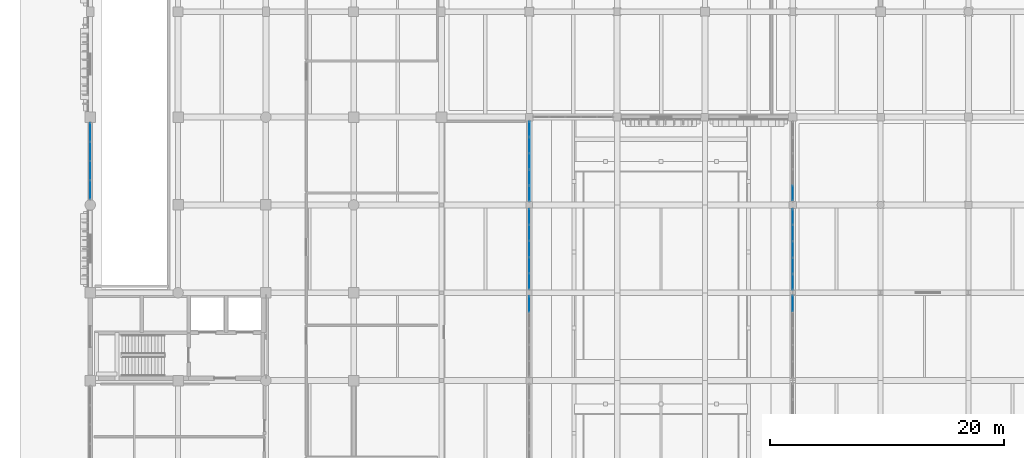
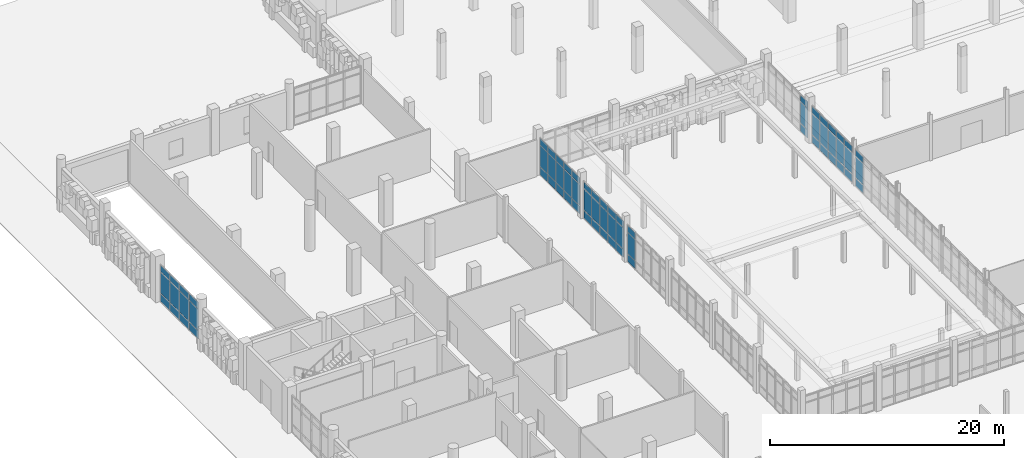
# One storey, part 77 of 125: 66 plates, 7 elements without a shape of their own.
"""IFC4 building model written with IfcOpenShell, lengths in metres."""

import ifcopenshell
import ifcopenshell.guid

model = None  # the IFC model being written
_history = None  # IfcOwnerHistory: only IFC2X3 demands one
_inside = {}  # id of a spatial element -> (the spatial element, [elements in it])
_under = {}  # id of a project, library or spatial element -> (it, [spatial elements below it])
_declared = {}  # id of a project -> (the project, [libraries it declares])
_typed = {}  # id of a type object -> (the type object, [elements of that type])
_made_of = {}  # id of a material, layer set ... -> (it, [elements and type objects made of it])


def new_model(schema):
    """Start an empty IFC model of exactly this schema.

    Asked for "IFC4X3", IfcOpenShell would pick the latest addendum, in which some entities
    have other attributes; the version numbers below select the first issue.
    IFC2X3 requires an IfcOwnerHistory on every rooted entity: one is made here for all.
    """
    global model, _history
    if schema == "IFC4X3":
        model = ifcopenshell.file(schema_version=(4, 3, 0, 0))
    else:
        model = ifcopenshell.file(schema=schema)
    _inside.clear()
    _under.clear()
    _declared.clear()
    _typed.clear()
    _made_of.clear()
    _history = None
    if model.schema == "IFC2X3":
        org = make("IfcOrganization", Name="unknown")
        user = make(
            "IfcPersonAndOrganization",
            ThePerson=make("IfcPerson", FamilyName="unknown"),
            TheOrganization=org,
        )
        app = make(
            "IfcApplication",
            ApplicationDeveloper=org,
            Version="unknown",
            ApplicationFullName="unknown",
            ApplicationIdentifier="unknown",
        )
        _history = make(
            "IfcOwnerHistory",
            OwningUser=user,
            OwningApplication=app,
            ChangeAction="ADDED",
            CreationDate=0,
        )
    return model


def make(cls, **values):
    """One entity of the class cls with the attributes given. An attribute that is None is left unset."""
    return model.create_entity(
        cls, **{name: value for name, value in values.items() if value is not None}
    )


def rooted(cls, **values):
    """An entity with a GlobalId (a new one), such as an element, a storey or a relation."""
    return make(cls, GlobalId=ifcopenshell.guid.new(), OwnerHistory=_history, **values)


def si_unit(unit_type, name, prefix=None):
    """IfcSIUnit, for example si_unit("LENGTHUNIT", "METRE", prefix="MILLI")."""
    return make("IfcSIUnit", UnitType=unit_type, Prefix=prefix, Name=name)


def assignment(units):
    """IfcUnitAssignment: the units of a project."""
    return None if units is None else make("IfcUnitAssignment", Units=units)


def point(xyz):
    """IfcCartesianPoint."""
    return None if xyz is None else make("IfcCartesianPoint", Coordinates=xyz)


def direction(xyz):
    """IfcDirection."""
    return None if xyz is None else make("IfcDirection", DirectionRatios=xyz)


def frame(location, z_axis=None, x_axis=None):
    """IfcAxis2Placement3D, a coordinate frame: its origin and axes. An axis left out is left unset."""
    return make(
        "IfcAxis2Placement3D",
        Location=point(location),
        Axis=direction(z_axis),
        RefDirection=direction(x_axis),
    )


def frame_2d(location, x_axis=None):
    """IfcAxis2Placement2D, a coordinate frame in the plane: its origin and x axis."""
    return make(
        "IfcAxis2Placement2D", Location=point(location), RefDirection=direction(x_axis)
    )


def origin():
    """The frame at (0, 0, 0) with its axes left unset."""
    return frame((0.0, 0.0, 0.0))


def origin_2d():
    """The frame at (0, 0) in the plane with its x axis left unset."""
    return frame_2d((0.0, 0.0))


def place(relative_to, where):
    """IfcLocalPlacement: puts the frame where relative to a parent placement (None: the world)."""
    return make(
        "IfcLocalPlacement", PlacementRelTo=relative_to, RelativePlacement=where
    )


def context(
    kind, dimensions, precision=None, world=None, true_north=None, identifier=None
):
    """IfcGeometricRepresentationContext, for example the 3D "Model" context."""
    return make(
        "IfcGeometricRepresentationContext",
        ContextIdentifier=identifier,
        ContextType=kind,
        CoordinateSpaceDimension=dimensions,
        Precision=precision,
        WorldCoordinateSystem=world,
        TrueNorth=true_north,
    )


def subcontext(parent, identifier, kind, view, scale=None):
    """IfcGeometricRepresentationSubContext, for example "Body" below "Model"."""
    return make(
        "IfcGeometricRepresentationSubContext",
        ContextIdentifier=identifier,
        ContextType=kind,
        ParentContext=parent,
        TargetScale=scale,
        TargetView=view,
    )


def project(units=None, contexts=None):
    """IfcProject with its units and contexts."""
    return rooted(
        "IfcProject",
        Name="project",
        RepresentationContexts=contexts,
        UnitsInContext=assignment(units),
    )


def spatial(cls, under=None, at=None, **own):
    """A site, building, storey or space (cls), placed at a placement, below another one or the project."""
    s = rooted(cls, ObjectPlacement=at, **own)
    if under is not None:
        _under.setdefault(under.id(), (under, []))[1].append(s)
    return s


def profile(cls, at=None, kind="AREA", **sizes):
    """A parametric profile (cls). Its sizes go by their IFC names, for example OverallWidth=200.0."""
    return make(cls, ProfileType=kind, Position=at, **sizes)


def rectangle(**sizes):
    """IfcRectangleProfileDef."""
    return profile("IfcRectangleProfileDef", **sizes)


def extrude(swept, where, along, depth):
    """IfcExtrudedAreaSolid: the profile swept, set in the frame where, extruded along a direction by depth."""
    return make(
        "IfcExtrudedAreaSolid",
        SweptArea=swept,
        Position=where,
        ExtrudedDirection=direction(along),
        Depth=depth,
    )


def shape(context_of_items, identifier, shape_type, items):
    """IfcShapeRepresentation: the items that make up one representation, for example the "Body"."""
    return make(
        "IfcShapeRepresentation",
        ContextOfItems=context_of_items,
        RepresentationIdentifier=identifier,
        RepresentationType=shape_type,
        Items=items,
    )


def material(Name=None, Category=None):
    """IfcMaterial."""
    return make("IfcMaterial", Name=Name, Category=Category)


def layer(
    of_material, thickness, ventilated=None, Name=None, Category=None, Priority=None
):
    """IfcMaterialLayer: one layer of a wall or slab, of a material (None: an air gap)."""
    return make(
        "IfcMaterialLayer",
        Material=of_material,
        LayerThickness=thickness,
        IsVentilated=ventilated,
        Name=Name,
        Category=Category,
        Priority=Priority,
    )


def layer_set(layers, Name=None):
    """IfcMaterialLayerSet."""
    return make("IfcMaterialLayerSet", MaterialLayers=layers, LayerSetName=Name)


def made_of(thing, what):
    """Note that an element or type object is made of a material, layer set ...; save() writes the relation."""
    if what is not None:
        _made_of.setdefault(what.id(), (what, []))[1].append(thing)
    return thing


def type_object(cls, material=None, **own):
    """A type object (cls), such as IfcWallType, which elements share."""
    return made_of(rooted(cls, **own), material)


def element(
    cls,
    number,
    at=None,
    inside=None,
    cuts=None,
    type_object=None,
    material=None,
    context=None,
    identifier="Body",
    shape_type=None,
    held_by="IfcProductDefinitionShape",
    body=None,
    shapes=None,
    **own,
):
    """One element of the class cls, such as IfcWall. Its Tag is "e" and its number.

    at: its placement. inside: the storey or other place that contains it. cuts: it is an
    opening in that element (IfcRelVoidsElement). A single representation is given by context,
    identifier, shape_type and body (its items); several are given by shapes. held_by: the class
    of the entity that holds the representations. save() writes the other relations.
    """
    e = rooted(cls, Tag="e%d" % number, ObjectPlacement=at, **own)
    if body is not None:
        shapes = [shape(context, identifier, shape_type, body)]
    if shapes is not None:
        e.Representation = make(held_by, Representations=shapes)
    if inside is not None:
        _inside.setdefault(inside.id(), (inside, []))[1].append(e)
    if cuts is not None:
        rooted(
            "IfcRelVoidsElement", RelatingBuildingElement=cuts, RelatedOpeningElement=e
        )
    if type_object is not None:
        _typed.setdefault(type_object.id(), (type_object, []))[1].append(e)
    return made_of(e, material)


def aggregate(whole, parts):
    """IfcRelAggregates: a whole, such as a stair, and the parts it consists of."""
    return rooted("IfcRelAggregates", RelatingObject=whole, RelatedObjects=parts)


def save(model, path):
    """Write the relations noted so far, then the file.

    IfcRelAggregates (storeys below a building ...), IfcRelContainedInSpatialStructure (elements
    in a storey), IfcRelDefinesByType, IfcRelAssociatesMaterial and IfcRelDeclares: one each for
    every whole, place, type object, material and project.
    """
    for whole, parts in _under.values():
        aggregate(whole, parts)
    for where, things in _inside.values():
        rooted(
            "IfcRelContainedInSpatialStructure",
            RelatedElements=things,
            RelatingStructure=where,
        )
    for kind, things in _typed.values():
        rooted("IfcRelDefinesByType", RelatedObjects=things, RelatingType=kind)
    for what, things in _made_of.values():
        rooted("IfcRelAssociatesMaterial", RelatedObjects=things, RelatingMaterial=what)
    for by, libraries in _declared.values():
        rooted("IfcRelDeclares", RelatingContext=by, RelatedDefinitions=libraries)
    model.write(path)


model = new_model("IFC4")

# Units and contexts
model_context = context("Model", 3, precision=1e-05, world=origin(), true_north=direction((0.0, 1.0)))
body_context = subcontext(model_context, "Body", "Model", "MODEL_VIEW")
ifc_project = project(units=[si_unit("LENGTHUNIT", "METRE"), si_unit("AREAUNIT", "SQUARE_METRE"), si_unit("VOLUMEUNIT", "CUBIC_METRE"), si_unit("PLANEANGLEUNIT", "RADIAN"), si_unit("MASSUNIT", "GRAM", prefix="KILO")], contexts=[model_context])

# Site, building, storey
site_placement = place(None, origin())
site = spatial("IfcSite", under=ifc_project, at=site_placement, CompositionType="ELEMENT")
building_placement = place(site_placement, origin())
building = spatial("IfcBuilding", under=site, at=building_placement, Name="Dalvernix Boulevard General Hospital", CompositionType="ELEMENT")
storey_placement = place(building_placement, origin())
storey = spatial("IfcBuildingStorey", under=building, at=storey_placement, Name="L00", CompositionType="ELEMENT", Elevation=0.0)

# Curtain wall, plates
ifc_material_1 = material(Name="Thermally broken aluminium and solar-control glass curtain wall", Category="aluminium")
ifc_layer_1 = layer(ifc_material_1, 0.159912109375)
ifc_layer_set_1 = layer_set([ifc_layer_1], Name="Thermally broken aluminium and solar-control glass curtain wall (CW-CW-A-66x39)")
curtain_wall_type_1 = type_object("IfcCurtainWallType", Name="CW-CW-A-66x39", PredefinedType="USERDEFINED", material=ifc_layer_set_1)
curtain_wall_1_placement = place(storey_placement, origin())
curtain_wall_1 = element("IfcCurtainWall", 1, at=curtain_wall_1_placement, inside=storey, type_object=curtain_wall_type_1, Name="L00 curtain wall CW-A-66x39 0-9", ObjectType="GLAZED FACADE", PredefinedType="USERDEFINED")
ifc_material_2 = material(Name="Double-glazed solar-control low-emissivity glass", Category="glass")
ifc_layer_2 = layer(ifc_material_2, 0.02392578125)
ifc_layer_set_2 = layer_set([ifc_layer_2], Name="Double-glazed solar-control low-emissivity glass (PLT-CW-P1)")
plate_type_1 = type_object("IfcPlateType", Name="PLT-CW-P1", PredefinedType="CURTAIN_PANEL", material=ifc_layer_set_2)
plate_1_placement = place(storey_placement, frame((0.0, 70.297607421875, 0.06005859375), z_axis=(0.0, 0.0, 1.0), x_axis=(0.0, 1.0, 0.0)))
plate_1 = element("IfcPlate", 2, at=plate_1_placement, type_object=plate_type_1, Name="CW-A-66x39 panel 1.1", PredefinedType="CURTAIN_PANEL", context=body_context, shape_type="SweptSolid", body=[
    extrude(rectangle(XDim=1.554931640625, YDim=0.02392578125, at=origin_2d()), origin(), (0.0, 0.0, 1.0), 0.81005859375),
])
plate_2_placement = place(storey_placement, frame((0.0, 70.297607421875, 0.929931640625), z_axis=(0.0, 0.0, 1.0), x_axis=(0.0, 1.0, 0.0)))
plate_2 = element("IfcPlate", 3, at=plate_2_placement, type_object=plate_type_1, Name="CW-A-66x39 panel 1.2", PredefinedType="CURTAIN_PANEL", context=body_context, shape_type="SweptSolid", body=[
    extrude(rectangle(XDim=1.554931640625, YDim=0.02392578125, at=origin_2d()), origin(), (0.0, 0.0, 1.0), 2.18994140625),
])
plate_3_placement = place(storey_placement, frame((0.0, 70.297607421875, 3.18017578125), z_axis=(0.0, 0.0, 1.0), x_axis=(0.0, 1.0, 0.0)))
plate_3 = element("IfcPlate", 4, at=plate_3_placement, type_object=plate_type_1, Name="CW-A-66x39 panel 1.3", PredefinedType="CURTAIN_PANEL", context=body_context, shape_type="SweptSolid", body=[
    extrude(rectangle(XDim=1.554931640625, YDim=0.02392578125, at=origin_2d()), origin(), (0.0, 0.0, 1.0), 0.659912109375),
])
plate_4_placement = place(storey_placement, frame((0.0, 71.927490234375, 0.06005859375), z_axis=(0.0, 0.0, 1.0), x_axis=(0.0, 1.0, 0.0)))
plate_4 = element("IfcPlate", 5, at=plate_4_placement, type_object=plate_type_1, Name="CW-A-66x39 panel 2.1", PredefinedType="CURTAIN_PANEL", context=body_context, shape_type="SweptSolid", body=[
    extrude(rectangle(XDim=1.5849609375, YDim=0.02392578125, at=origin_2d()), origin(), (0.0, 0.0, 1.0), 0.81005859375),
])
plate_5_placement = place(storey_placement, frame((0.0, 71.927490234375, 0.929931640625), z_axis=(0.0, 0.0, 1.0), x_axis=(0.0, 1.0, 0.0)))
plate_5 = element("IfcPlate", 6, at=plate_5_placement, type_object=plate_type_1, Name="CW-A-66x39 panel 2.2", PredefinedType="CURTAIN_PANEL", context=body_context, shape_type="SweptSolid", body=[
    extrude(rectangle(XDim=1.5849609375, YDim=0.02392578125, at=origin_2d()), origin(), (0.0, 0.0, 1.0), 2.18994140625),
])
plate_6_placement = place(storey_placement, frame((0.0, 71.927490234375, 3.18017578125), z_axis=(0.0, 0.0, 1.0), x_axis=(0.0, 1.0, 0.0)))
plate_6 = element("IfcPlate", 7, at=plate_6_placement, type_object=plate_type_1, Name="CW-A-66x39 panel 2.3", PredefinedType="CURTAIN_PANEL", context=body_context, shape_type="SweptSolid", body=[
    extrude(rectangle(XDim=1.5849609375, YDim=0.02392578125, at=origin_2d()), origin(), (0.0, 0.0, 1.0), 0.659912109375),
])
plate_7_placement = place(storey_placement, frame((0.0, 73.572509765625, 0.06005859375), z_axis=(0.0, 0.0, 1.0), x_axis=(0.0, 1.0, 0.0)))
plate_7 = element("IfcPlate", 8, at=plate_7_placement, type_object=plate_type_1, Name="CW-A-66x39 panel 3.1", PredefinedType="CURTAIN_PANEL", context=body_context, shape_type="SweptSolid", body=[
    extrude(rectangle(XDim=1.5849609375, YDim=0.02392578125, at=origin_2d()), origin(), (0.0, 0.0, 1.0), 0.81005859375),
])
plate_8_placement = place(storey_placement, frame((0.0, 73.572509765625, 0.929931640625), z_axis=(0.0, 0.0, 1.0), x_axis=(0.0, 1.0, 0.0)))
plate_8 = element("IfcPlate", 9, at=plate_8_placement, type_object=plate_type_1, Name="CW-A-66x39 panel 3.2", PredefinedType="CURTAIN_PANEL", context=body_context, shape_type="SweptSolid", body=[
    extrude(rectangle(XDim=1.5849609375, YDim=0.02392578125, at=origin_2d()), origin(), (0.0, 0.0, 1.0), 2.18994140625),
])
plate_9_placement = place(storey_placement, frame((0.0, 73.572509765625, 3.18017578125), z_axis=(0.0, 0.0, 1.0), x_axis=(0.0, 1.0, 0.0)))
plate_9 = element("IfcPlate", 10, at=plate_9_placement, type_object=plate_type_1, Name="CW-A-66x39 panel 3.3", PredefinedType="CURTAIN_PANEL", context=body_context, shape_type="SweptSolid", body=[
    extrude(rectangle(XDim=1.5849609375, YDim=0.02392578125, at=origin_2d()), origin(), (0.0, 0.0, 1.0), 0.659912109375),
])
plate_10_placement = place(storey_placement, frame((0.0, 75.202392578125, 0.06005859375), z_axis=(0.0, 0.0, 1.0), x_axis=(0.0, 1.0, 0.0)))
plate_10 = element("IfcPlate", 11, at=plate_10_placement, type_object=plate_type_1, Name="CW-A-66x39 panel 4.1", PredefinedType="CURTAIN_PANEL", context=body_context, shape_type="SweptSolid", body=[
    extrude(rectangle(XDim=1.554931640625, YDim=0.02392578125, at=origin_2d()), origin(), (0.0, 0.0, 1.0), 0.81005859375),
])
plate_11_placement = place(storey_placement, frame((0.0, 75.202392578125, 0.929931640625), z_axis=(0.0, 0.0, 1.0), x_axis=(0.0, 1.0, 0.0)))
plate_11 = element("IfcPlate", 12, at=plate_11_placement, type_object=plate_type_1, Name="CW-A-66x39 panel 4.2", PredefinedType="CURTAIN_PANEL", context=body_context, shape_type="SweptSolid", body=[
    extrude(rectangle(XDim=1.554931640625, YDim=0.02392578125, at=origin_2d()), origin(), (0.0, 0.0, 1.0), 2.18994140625),
])
plate_12_placement = place(storey_placement, frame((0.0, 75.202392578125, 3.18017578125), z_axis=(0.0, 0.0, 1.0), x_axis=(0.0, 1.0, 0.0)))
plate_12 = element("IfcPlate", 13, at=plate_12_placement, type_object=plate_type_1, Name="CW-A-66x39 panel 4.3", PredefinedType="CURTAIN_PANEL", context=body_context, shape_type="SweptSolid", body=[
    extrude(rectangle(XDim=1.554931640625, YDim=0.02392578125, at=origin_2d()), origin(), (0.0, 0.0, 1.0), 0.659912109375),
])
aggregate(curtain_wall_1, [plate_1, plate_2, plate_3, plate_4, plate_5, plate_6, plate_7, plate_8, plate_9, plate_10, plate_11, plate_12])

ifc_layer_3 = layer(ifc_material_1, 0.159912109375)
ifc_layer_set_3 = layer_set([ifc_layer_3], Name="Thermally broken aluminium and solar-control glass curtain wall (CW-CW-A-70x39)")
curtain_wall_type_2 = type_object("IfcCurtainWallType", Name="CW-CW-A-70x39", PredefinedType="USERDEFINED", material=ifc_layer_set_3)
curtain_wall_2_placement = place(storey_placement, origin())
curtain_wall_2 = element("IfcCurtainWall", 14, at=curtain_wall_2_placement, inside=storey, type_object=curtain_wall_type_2, Name="L00 curtain wall CW-A-70x39 5-7", ObjectType="GLAZED FACADE", PredefinedType="USERDEFINED")
plate_13_placement = place(storey_placement, frame((37.5, 60.529541015625, 0.06005859375), z_axis=(0.0, 0.0, 1.0), x_axis=(0.0, -1.0, 0.0)))
plate_13 = element("IfcPlate", 15, at=plate_13_placement, type_object=plate_type_1, Name="CW-A-70x39 panel 1.1", PredefinedType="CURTAIN_PANEL", context=body_context, shape_type="SweptSolid", body=[
    extrude(rectangle(XDim=1.301025390625, YDim=0.02392578125, at=origin_2d()), origin(), (0.0, 0.0, 1.0), 0.81005859375),
])
plate_14_placement = place(storey_placement, frame((37.5, 60.529541015625, 0.929931640625), z_axis=(0.0, 0.0, 1.0), x_axis=(0.0, -1.0, 0.0)))
plate_14 = element("IfcPlate", 16, at=plate_14_placement, type_object=plate_type_1, Name="CW-A-70x39 panel 1.2", PredefinedType="CURTAIN_PANEL", context=body_context, shape_type="SweptSolid", body=[
    extrude(rectangle(XDim=1.301025390625, YDim=0.02392578125, at=origin_2d()), origin(), (0.0, 0.0, 1.0), 2.18994140625),
])
plate_15_placement = place(storey_placement, frame((37.5, 60.529541015625, 3.18017578125), z_axis=(0.0, 0.0, 1.0), x_axis=(0.0, -1.0, 0.0)))
plate_15 = element("IfcPlate", 17, at=plate_15_placement, type_object=plate_type_1, Name="CW-A-70x39 panel 1.3", PredefinedType="CURTAIN_PANEL", context=body_context, shape_type="SweptSolid", body=[
    extrude(rectangle(XDim=1.301025390625, YDim=0.02392578125, at=origin_2d()), origin(), (0.0, 0.0, 1.0), 0.659912109375),
])
aggregate(curtain_wall_2, [plate_13, plate_14, plate_15])

ifc_layer_4 = layer(ifc_material_1, 0.159912109375)
ifc_layer_set_4 = layer_set([ifc_layer_4], Name="Thermally broken aluminium and solar-control glass curtain wall (CW-CW-A-71x39)")
curtain_wall_type_3 = type_object("IfcCurtainWallType", Name="CW-CW-A-71x39", PredefinedType="USERDEFINED", material=ifc_layer_set_4)
curtain_wall_3_placement = place(storey_placement, origin())
curtain_wall_3 = element("IfcCurtainWall", 18, at=curtain_wall_3_placement, inside=storey, type_object=curtain_wall_type_3, Name="L00 curtain wall CW-A-71x39 8-7", ObjectType="GLAZED FACADE", PredefinedType="USERDEFINED")
plate_16_placement = place(storey_placement, frame((60.0, 60.56689453125, 0.06005859375), z_axis=(0.0, 0.0, 1.0), x_axis=(0.0, 1.0, 0.0)))
plate_16 = element("IfcPlate", 19, at=plate_16_placement, type_object=plate_type_1, Name="CW-A-71x39 panel 5.1", PredefinedType="CURTAIN_PANEL", context=body_context, shape_type="SweptSolid", body=[
    extrude(rectangle(XDim=1.325927734375, YDim=0.02392578125, at=origin_2d()), origin(), (0.0, 0.0, 1.0), 0.81005859375),
])
plate_17_placement = place(storey_placement, frame((60.0, 60.56689453125, 0.929931640625), z_axis=(0.0, 0.0, 1.0), x_axis=(0.0, 1.0, 0.0)))
plate_17 = element("IfcPlate", 20, at=plate_17_placement, type_object=plate_type_1, Name="CW-A-71x39 panel 5.2", PredefinedType="CURTAIN_PANEL", context=body_context, shape_type="SweptSolid", body=[
    extrude(rectangle(XDim=1.325927734375, YDim=0.02392578125, at=origin_2d()), origin(), (0.0, 0.0, 1.0), 2.18994140625),
])
plate_18_placement = place(storey_placement, frame((60.0, 60.56689453125, 3.18017578125), z_axis=(0.0, 0.0, 1.0), x_axis=(0.0, 1.0, 0.0)))
plate_18 = element("IfcPlate", 21, at=plate_18_placement, type_object=plate_type_1, Name="CW-A-71x39 panel 5.3", PredefinedType="CURTAIN_PANEL", context=body_context, shape_type="SweptSolid", body=[
    extrude(rectangle(XDim=1.325927734375, YDim=0.02392578125, at=origin_2d()), origin(), (0.0, 0.0, 1.0), 0.659912109375),
])
aggregate(curtain_wall_3, [plate_16, plate_17, plate_18])

ifc_layer_5 = layer(ifc_material_1, 0.179931640625)
ifc_layer_set_5 = layer_set([ifc_layer_5], Name="Thermally broken aluminium and solar-control glass curtain wall (CW-CW-B-70x39)")
curtain_wall_type_4 = type_object("IfcCurtainWallType", Name="CW-CW-B-70x39", PredefinedType="USERDEFINED", material=ifc_layer_set_5)
curtain_wall_4_placement = place(storey_placement, origin())
curtain_wall_4 = element("IfcCurtainWall", 22, at=curtain_wall_4_placement, inside=storey, type_object=curtain_wall_type_4, Name="L00 curtain wall CW-B-70x39 5-8", ObjectType="GLAZED FACADE", PredefinedType="USERDEFINED")
ifc_layer_6 = layer(ifc_material_2, 0.028076171875)
ifc_layer_set_6 = layer_set([ifc_layer_6], Name="Double-glazed solar-control low-emissivity glass (PLT-CW-P2)")
plate_type_2 = type_object("IfcPlateType", Name="PLT-CW-P2", PredefinedType="CURTAIN_PANEL", material=ifc_layer_set_6)
plate_19_placement = place(storey_placement, frame((37.5, 68.003173828125, 0.06494140625), z_axis=(0.0, 0.0, 1.0), x_axis=(0.0, -1.0, 0.0)))
plate_19 = element("IfcPlate", 23, at=plate_19_placement, type_object=plate_type_2, Name="CW-B-70x39 panel 1.1", PredefinedType="CURTAIN_PANEL", context=body_context, shape_type="SweptSolid", body=[
    extrude(rectangle(XDim=1.29345703125, YDim=0.028076171875, at=origin_2d()), origin(), (0.0, 0.0, 1.0), 0.802490234375),
])
plate_20_placement = place(storey_placement, frame((37.5, 68.003173828125, 0.932373046875), z_axis=(0.0, 0.0, 1.0), x_axis=(0.0, -1.0, 0.0)))
plate_20 = element("IfcPlate", 24, at=plate_20_placement, type_object=plate_type_2, Name="CW-B-70x39 panel 1.2", PredefinedType="CURTAIN_PANEL", context=body_context, shape_type="SweptSolid", body=[
    extrude(rectangle(XDim=1.29345703125, YDim=0.028076171875, at=origin_2d()), origin(), (0.0, 0.0, 1.0), 2.18505859375),
])
plate_21_placement = place(storey_placement, frame((37.5, 68.003173828125, 3.1826171875), z_axis=(0.0, 0.0, 1.0), x_axis=(0.0, -1.0, 0.0)))
plate_21 = element("IfcPlate", 25, at=plate_21_placement, type_object=plate_type_2, Name="CW-B-70x39 panel 1.3", PredefinedType="CURTAIN_PANEL", context=body_context, shape_type="SweptSolid", body=[
    extrude(rectangle(XDim=1.29345703125, YDim=0.028076171875, at=origin_2d()), origin(), (0.0, 0.0, 1.0), 0.652587890625),
])
plate_22_placement = place(storey_placement, frame((37.5, 66.62841796875, 0.06494140625), z_axis=(0.0, 0.0, 1.0), x_axis=(0.0, -1.0, 0.0)))
plate_22 = element("IfcPlate", 26, at=plate_22_placement, type_object=plate_type_2, Name="CW-B-70x39 panel 2.1", PredefinedType="CURTAIN_PANEL", context=body_context, shape_type="SweptSolid", body=[
    extrude(rectangle(XDim=1.325927734375, YDim=0.028076171875, at=origin_2d()), origin(), (0.0, 0.0, 1.0), 0.802490234375),
])
plate_23_placement = place(storey_placement, frame((37.5, 66.62841796875, 0.932373046875), z_axis=(0.0, 0.0, 1.0), x_axis=(0.0, -1.0, 0.0)))
plate_23 = element("IfcPlate", 27, at=plate_23_placement, type_object=plate_type_2, Name="CW-B-70x39 panel 2.2", PredefinedType="CURTAIN_PANEL", context=body_context, shape_type="SweptSolid", body=[
    extrude(rectangle(XDim=1.325927734375, YDim=0.028076171875, at=origin_2d()), origin(), (0.0, 0.0, 1.0), 2.18505859375),
])
plate_24_placement = place(storey_placement, frame((37.5, 66.62841796875, 3.1826171875), z_axis=(0.0, 0.0, 1.0), x_axis=(0.0, -1.0, 0.0)))
plate_24 = element("IfcPlate", 28, at=plate_24_placement, type_object=plate_type_2, Name="CW-B-70x39 panel 2.3", PredefinedType="CURTAIN_PANEL", context=body_context, shape_type="SweptSolid", body=[
    extrude(rectangle(XDim=1.325927734375, YDim=0.028076171875, at=origin_2d()), origin(), (0.0, 0.0, 1.0), 0.652587890625),
])
plate_25_placement = place(storey_placement, frame((37.5, 65.237548828125, 0.06494140625), z_axis=(0.0, 0.0, 1.0), x_axis=(0.0, -1.0, 0.0)))
plate_25 = element("IfcPlate", 29, at=plate_25_placement, type_object=plate_type_2, Name="CW-B-70x39 panel 3.1", PredefinedType="CURTAIN_PANEL", context=body_context, shape_type="SweptSolid", body=[
    extrude(rectangle(XDim=1.325927734375, YDim=0.028076171875, at=origin_2d()), origin(), (0.0, 0.0, 1.0), 0.802490234375),
])
plate_26_placement = place(storey_placement, frame((37.5, 65.237548828125, 0.932373046875), z_axis=(0.0, 0.0, 1.0), x_axis=(0.0, -1.0, 0.0)))
plate_26 = element("IfcPlate", 30, at=plate_26_placement, type_object=plate_type_2, Name="CW-B-70x39 panel 3.2", PredefinedType="CURTAIN_PANEL", context=body_context, shape_type="SweptSolid", body=[
    extrude(rectangle(XDim=1.325927734375, YDim=0.028076171875, at=origin_2d()), origin(), (0.0, 0.0, 1.0), 2.18505859375),
])
plate_27_placement = place(storey_placement, frame((37.5, 65.237548828125, 3.1826171875), z_axis=(0.0, 0.0, 1.0), x_axis=(0.0, -1.0, 0.0)))
plate_27 = element("IfcPlate", 31, at=plate_27_placement, type_object=plate_type_2, Name="CW-B-70x39 panel 3.3", PredefinedType="CURTAIN_PANEL", context=body_context, shape_type="SweptSolid", body=[
    extrude(rectangle(XDim=1.325927734375, YDim=0.028076171875, at=origin_2d()), origin(), (0.0, 0.0, 1.0), 0.652587890625),
])
plate_28_placement = place(storey_placement, frame((37.5, 63.846435546875, 0.06494140625), z_axis=(0.0, 0.0, 1.0), x_axis=(0.0, -1.0, 0.0)))
plate_28 = element("IfcPlate", 32, at=plate_28_placement, type_object=plate_type_2, Name="CW-B-70x39 panel 4.1", PredefinedType="CURTAIN_PANEL", context=body_context, shape_type="SweptSolid", body=[
    extrude(rectangle(XDim=1.325927734375, YDim=0.028076171875, at=origin_2d()), origin(), (0.0, 0.0, 1.0), 0.802490234375),
])
plate_29_placement = place(storey_placement, frame((37.5, 63.846435546875, 0.932373046875), z_axis=(0.0, 0.0, 1.0), x_axis=(0.0, -1.0, 0.0)))
plate_29 = element("IfcPlate", 33, at=plate_29_placement, type_object=plate_type_2, Name="CW-B-70x39 panel 4.2", PredefinedType="CURTAIN_PANEL", context=body_context, shape_type="SweptSolid", body=[
    extrude(rectangle(XDim=1.325927734375, YDim=0.028076171875, at=origin_2d()), origin(), (0.0, 0.0, 1.0), 2.18505859375),
])
plate_30_placement = place(storey_placement, frame((37.5, 63.846435546875, 3.1826171875), z_axis=(0.0, 0.0, 1.0), x_axis=(0.0, -1.0, 0.0)))
plate_30 = element("IfcPlate", 34, at=plate_30_placement, type_object=plate_type_2, Name="CW-B-70x39 panel 4.3", PredefinedType="CURTAIN_PANEL", context=body_context, shape_type="SweptSolid", body=[
    extrude(rectangle(XDim=1.325927734375, YDim=0.028076171875, at=origin_2d()), origin(), (0.0, 0.0, 1.0), 0.652587890625),
])
plate_31_placement = place(storey_placement, frame((37.5, 62.4716796875, 0.06494140625), z_axis=(0.0, 0.0, 1.0), x_axis=(0.0, -1.0, 0.0)))
plate_31 = element("IfcPlate", 35, at=plate_31_placement, type_object=plate_type_2, Name="CW-B-70x39 panel 5.1", PredefinedType="CURTAIN_PANEL", context=body_context, shape_type="SweptSolid", body=[
    extrude(rectangle(XDim=1.29345703125, YDim=0.028076171875, at=origin_2d()), origin(), (0.0, 0.0, 1.0), 0.802490234375),
])
plate_32_placement = place(storey_placement, frame((37.5, 62.4716796875, 0.932373046875), z_axis=(0.0, 0.0, 1.0), x_axis=(0.0, -1.0, 0.0)))
plate_32 = element("IfcPlate", 36, at=plate_32_placement, type_object=plate_type_2, Name="CW-B-70x39 panel 5.2", PredefinedType="CURTAIN_PANEL", context=body_context, shape_type="SweptSolid", body=[
    extrude(rectangle(XDim=1.29345703125, YDim=0.028076171875, at=origin_2d()), origin(), (0.0, 0.0, 1.0), 2.18505859375),
])
plate_33_placement = place(storey_placement, frame((37.5, 62.4716796875, 3.1826171875), z_axis=(0.0, 0.0, 1.0), x_axis=(0.0, -1.0, 0.0)))
plate_33 = element("IfcPlate", 37, at=plate_33_placement, type_object=plate_type_2, Name="CW-B-70x39 panel 5.3", PredefinedType="CURTAIN_PANEL", context=body_context, shape_type="SweptSolid", body=[
    extrude(rectangle(XDim=1.29345703125, YDim=0.028076171875, at=origin_2d()), origin(), (0.0, 0.0, 1.0), 0.652587890625),
])
aggregate(curtain_wall_4, [plate_19, plate_20, plate_21, plate_22, plate_23, plate_24, plate_25, plate_26, plate_27, plate_28, plate_29, plate_30, plate_31, plate_32, plate_33])

curtain_wall_5_placement = place(storey_placement, origin())
curtain_wall_5 = element("IfcCurtainWall", 38, at=curtain_wall_5_placement, inside=storey, type_object=curtain_wall_type_4, Name="L00 curtain wall CW-B-70x39 8-8", ObjectType="GLAZED FACADE", PredefinedType="USERDEFINED")
plate_34_placement = place(storey_placement, frame((60.0, 62.42431640625, 0.06494140625), z_axis=(0.0, 0.0, 1.0), x_axis=(0.0, 1.0, 0.0)))
plate_34 = element("IfcPlate", 39, at=plate_34_placement, type_object=plate_type_2, Name="CW-B-70x39 panel 1.1", PredefinedType="CURTAIN_PANEL", context=body_context, shape_type="SweptSolid", body=[
    extrude(rectangle(XDim=1.298583984375, YDim=0.028076171875, at=origin_2d()), origin(), (0.0, 0.0, 1.0), 0.802490234375),
])
plate_35_placement = place(storey_placement, frame((60.0, 62.42431640625, 0.932373046875), z_axis=(0.0, 0.0, 1.0), x_axis=(0.0, 1.0, 0.0)))
plate_35 = element("IfcPlate", 40, at=plate_35_placement, type_object=plate_type_2, Name="CW-B-70x39 panel 1.2", PredefinedType="CURTAIN_PANEL", context=body_context, shape_type="SweptSolid", body=[
    extrude(rectangle(XDim=1.298583984375, YDim=0.028076171875, at=origin_2d()), origin(), (0.0, 0.0, 1.0), 2.18505859375),
])
plate_36_placement = place(storey_placement, frame((60.0, 62.42431640625, 3.1826171875), z_axis=(0.0, 0.0, 1.0), x_axis=(0.0, 1.0, 0.0)))
plate_36 = element("IfcPlate", 41, at=plate_36_placement, type_object=plate_type_2, Name="CW-B-70x39 panel 1.3", PredefinedType="CURTAIN_PANEL", context=body_context, shape_type="SweptSolid", body=[
    extrude(rectangle(XDim=1.298583984375, YDim=0.028076171875, at=origin_2d()), origin(), (0.0, 0.0, 1.0), 0.652587890625),
])
plate_37_placement = place(storey_placement, frame((60.0, 63.803955078125, 0.06494140625), z_axis=(0.0, 0.0, 1.0), x_axis=(0.0, 1.0, 0.0)))
plate_37 = element("IfcPlate", 42, at=plate_37_placement, type_object=plate_type_2, Name="CW-B-70x39 panel 2.1", PredefinedType="CURTAIN_PANEL", context=body_context, shape_type="SweptSolid", body=[
    extrude(rectangle(XDim=1.3310546875, YDim=0.028076171875, at=origin_2d()), origin(), (0.0, 0.0, 1.0), 0.802490234375),
])
plate_38_placement = place(storey_placement, frame((60.0, 63.803955078125, 0.932373046875), z_axis=(0.0, 0.0, 1.0), x_axis=(0.0, 1.0, 0.0)))
plate_38 = element("IfcPlate", 43, at=plate_38_placement, type_object=plate_type_2, Name="CW-B-70x39 panel 2.2", PredefinedType="CURTAIN_PANEL", context=body_context, shape_type="SweptSolid", body=[
    extrude(rectangle(XDim=1.3310546875, YDim=0.028076171875, at=origin_2d()), origin(), (0.0, 0.0, 1.0), 2.18505859375),
])
plate_39_placement = place(storey_placement, frame((60.0, 63.803955078125, 3.1826171875), z_axis=(0.0, 0.0, 1.0), x_axis=(0.0, 1.0, 0.0)))
plate_39 = element("IfcPlate", 44, at=plate_39_placement, type_object=plate_type_2, Name="CW-B-70x39 panel 2.3", PredefinedType="CURTAIN_PANEL", context=body_context, shape_type="SweptSolid", body=[
    extrude(rectangle(XDim=1.3310546875, YDim=0.028076171875, at=origin_2d()), origin(), (0.0, 0.0, 1.0), 0.652587890625),
])
plate_40_placement = place(storey_placement, frame((60.0, 65.199951171875, 0.06494140625), z_axis=(0.0, 0.0, 1.0), x_axis=(0.0, 1.0, 0.0)))
plate_40 = element("IfcPlate", 45, at=plate_40_placement, type_object=plate_type_2, Name="CW-B-70x39 panel 3.1", PredefinedType="CURTAIN_PANEL", context=body_context, shape_type="SweptSolid", body=[
    extrude(rectangle(XDim=1.3310546875, YDim=0.028076171875, at=origin_2d()), origin(), (0.0, 0.0, 1.0), 0.802490234375),
])
plate_41_placement = place(storey_placement, frame((60.0, 65.199951171875, 0.932373046875), z_axis=(0.0, 0.0, 1.0), x_axis=(0.0, 1.0, 0.0)))
plate_41 = element("IfcPlate", 46, at=plate_41_placement, type_object=plate_type_2, Name="CW-B-70x39 panel 3.2", PredefinedType="CURTAIN_PANEL", context=body_context, shape_type="SweptSolid", body=[
    extrude(rectangle(XDim=1.3310546875, YDim=0.028076171875, at=origin_2d()), origin(), (0.0, 0.0, 1.0), 2.18505859375),
])
plate_42_placement = place(storey_placement, frame((60.0, 65.199951171875, 3.1826171875), z_axis=(0.0, 0.0, 1.0), x_axis=(0.0, 1.0, 0.0)))
plate_42 = element("IfcPlate", 47, at=plate_42_placement, type_object=plate_type_2, Name="CW-B-70x39 panel 3.3", PredefinedType="CURTAIN_PANEL", context=body_context, shape_type="SweptSolid", body=[
    extrude(rectangle(XDim=1.3310546875, YDim=0.028076171875, at=origin_2d()), origin(), (0.0, 0.0, 1.0), 0.652587890625),
])
plate_43_placement = place(storey_placement, frame((60.0, 66.595947265625, 0.06494140625), z_axis=(0.0, 0.0, 1.0), x_axis=(0.0, 1.0, 0.0)))
plate_43 = element("IfcPlate", 48, at=plate_43_placement, type_object=plate_type_2, Name="CW-B-70x39 panel 4.1", PredefinedType="CURTAIN_PANEL", context=body_context, shape_type="SweptSolid", body=[
    extrude(rectangle(XDim=1.3310546875, YDim=0.028076171875, at=origin_2d()), origin(), (0.0, 0.0, 1.0), 0.802490234375),
])
plate_44_placement = place(storey_placement, frame((60.0, 66.595947265625, 0.932373046875), z_axis=(0.0, 0.0, 1.0), x_axis=(0.0, 1.0, 0.0)))
plate_44 = element("IfcPlate", 49, at=plate_44_placement, type_object=plate_type_2, Name="CW-B-70x39 panel 4.2", PredefinedType="CURTAIN_PANEL", context=body_context, shape_type="SweptSolid", body=[
    extrude(rectangle(XDim=1.3310546875, YDim=0.028076171875, at=origin_2d()), origin(), (0.0, 0.0, 1.0), 2.18505859375),
])
plate_45_placement = place(storey_placement, frame((60.0, 66.595947265625, 3.1826171875), z_axis=(0.0, 0.0, 1.0), x_axis=(0.0, 1.0, 0.0)))
plate_45 = element("IfcPlate", 50, at=plate_45_placement, type_object=plate_type_2, Name="CW-B-70x39 panel 4.3", PredefinedType="CURTAIN_PANEL", context=body_context, shape_type="SweptSolid", body=[
    extrude(rectangle(XDim=1.3310546875, YDim=0.028076171875, at=origin_2d()), origin(), (0.0, 0.0, 1.0), 0.652587890625),
])
plate_46_placement = place(storey_placement, frame((60.0, 67.975830078125, 0.06494140625), z_axis=(0.0, 0.0, 1.0), x_axis=(0.0, 1.0, 0.0)))
plate_46 = element("IfcPlate", 51, at=plate_46_placement, type_object=plate_type_2, Name="CW-B-70x39 panel 5.1", PredefinedType="CURTAIN_PANEL", context=body_context, shape_type="SweptSolid", body=[
    extrude(rectangle(XDim=1.298583984375, YDim=0.028076171875, at=origin_2d()), origin(), (0.0, 0.0, 1.0), 0.802490234375),
])
plate_47_placement = place(storey_placement, frame((60.0, 67.975830078125, 0.932373046875), z_axis=(0.0, 0.0, 1.0), x_axis=(0.0, 1.0, 0.0)))
plate_47 = element("IfcPlate", 52, at=plate_47_placement, type_object=plate_type_2, Name="CW-B-70x39 panel 5.2", PredefinedType="CURTAIN_PANEL", context=body_context, shape_type="SweptSolid", body=[
    extrude(rectangle(XDim=1.298583984375, YDim=0.028076171875, at=origin_2d()), origin(), (0.0, 0.0, 1.0), 2.18505859375),
])
plate_48_placement = place(storey_placement, frame((60.0, 67.975830078125, 3.1826171875), z_axis=(0.0, 0.0, 1.0), x_axis=(0.0, 1.0, 0.0)))
plate_48 = element("IfcPlate", 53, at=plate_48_placement, type_object=plate_type_2, Name="CW-B-70x39 panel 5.3", PredefinedType="CURTAIN_PANEL", context=body_context, shape_type="SweptSolid", body=[
    extrude(rectangle(XDim=1.298583984375, YDim=0.028076171875, at=origin_2d()), origin(), (0.0, 0.0, 1.0), 0.652587890625),
])
aggregate(curtain_wall_5, [plate_34, plate_35, plate_36, plate_37, plate_38, plate_39, plate_40, plate_41, plate_42, plate_43, plate_44, plate_45, plate_46, plate_47, plate_48])

ifc_layer_7 = layer(ifc_material_1, 0.199951171875)
ifc_layer_set_7 = layer_set([ifc_layer_7], Name="Thermally broken aluminium and solar-control glass curtain wall (CW-CW-C-69x39)")
curtain_wall_type_5 = type_object("IfcCurtainWallType", Name="CW-CW-C-69x39", PredefinedType="USERDEFINED", material=ifc_layer_set_7)
curtain_wall_6_placement = place(storey_placement, origin())
curtain_wall_6 = element("IfcCurtainWall", 54, at=curtain_wall_6_placement, inside=storey, type_object=curtain_wall_type_5, Name="L00 curtain wall CW-C-69x39 5-9", ObjectType="GLAZED FACADE", PredefinedType="USERDEFINED")
ifc_layer_8 = layer(ifc_material_2, 0.035888671875)
ifc_layer_set_8 = layer_set([ifc_layer_8], Name="Double-glazed solar-control low-emissivity glass (PLT-CW-P3)")
plate_type_3 = type_object("IfcPlateType", Name="PLT-CW-P3", PredefinedType="CURTAIN_PANEL", material=ifc_layer_set_8)
plate_49_placement = place(storey_placement, frame((37.5, 75.45947265625, 0.070068359375), z_axis=(0.0, 0.0, 1.0), x_axis=(0.0, -1.0, 0.0)))
plate_49 = element("IfcPlate", 55, at=plate_49_placement, type_object=plate_type_3, Name="CW-C-69x39 panel 1.1", PredefinedType="CURTAIN_PANEL", context=body_context, shape_type="SweptSolid", body=[
    extrude(rectangle(XDim=1.27099609375, YDim=0.035888671875, at=origin_2d()), origin(), (0.0, 0.0, 1.0), 0.794921875),
])
plate_50_placement = place(storey_placement, frame((37.5, 75.45947265625, 0.93505859375), z_axis=(0.0, 0.0, 1.0), x_axis=(0.0, -1.0, 0.0)))
plate_50 = element("IfcPlate", 56, at=plate_50_placement, type_object=plate_type_3, Name="CW-C-69x39 panel 1.2", PredefinedType="CURTAIN_PANEL", context=body_context, shape_type="SweptSolid", body=[
    extrude(rectangle(XDim=1.27099609375, YDim=0.035888671875, at=origin_2d()), origin(), (0.0, 0.0, 1.0), 2.179931640625),
])
plate_51_placement = place(storey_placement, frame((37.5, 75.45947265625, 3.18505859375), z_axis=(0.0, 0.0, 1.0), x_axis=(0.0, -1.0, 0.0)))
plate_51 = element("IfcPlate", 57, at=plate_51_placement, type_object=plate_type_3, Name="CW-C-69x39 panel 1.3", PredefinedType="CURTAIN_PANEL", context=body_context, shape_type="SweptSolid", body=[
    extrude(rectangle(XDim=1.27099609375, YDim=0.035888671875, at=origin_2d()), origin(), (0.0, 0.0, 1.0), 0.64501953125),
])
plate_52_placement = place(storey_placement, frame((37.5, 74.10107421875, 0.070068359375), z_axis=(0.0, 0.0, 1.0), x_axis=(0.0, -1.0, 0.0)))
plate_52 = element("IfcPlate", 58, at=plate_52_placement, type_object=plate_type_3, Name="CW-C-69x39 panel 2.1", PredefinedType="CURTAIN_PANEL", context=body_context, shape_type="SweptSolid", body=[
    extrude(rectangle(XDim=1.305908203125, YDim=0.035888671875, at=origin_2d()), origin(), (0.0, 0.0, 1.0), 0.794921875),
])
plate_53_placement = place(storey_placement, frame((37.5, 74.10107421875, 0.93505859375), z_axis=(0.0, 0.0, 1.0), x_axis=(0.0, -1.0, 0.0)))
plate_53 = element("IfcPlate", 59, at=plate_53_placement, type_object=plate_type_3, Name="CW-C-69x39 panel 2.2", PredefinedType="CURTAIN_PANEL", context=body_context, shape_type="SweptSolid", body=[
    extrude(rectangle(XDim=1.305908203125, YDim=0.035888671875, at=origin_2d()), origin(), (0.0, 0.0, 1.0), 2.179931640625),
])
plate_54_placement = place(storey_placement, frame((37.5, 74.10107421875, 3.18505859375), z_axis=(0.0, 0.0, 1.0), x_axis=(0.0, -1.0, 0.0)))
plate_54 = element("IfcPlate", 60, at=plate_54_placement, type_object=plate_type_3, Name="CW-C-69x39 panel 2.3", PredefinedType="CURTAIN_PANEL", context=body_context, shape_type="SweptSolid", body=[
    extrude(rectangle(XDim=1.305908203125, YDim=0.035888671875, at=origin_2d()), origin(), (0.0, 0.0, 1.0), 0.64501953125),
])
plate_55_placement = place(storey_placement, frame((37.5, 72.72509765625, 0.070068359375), z_axis=(0.0, 0.0, 1.0), x_axis=(0.0, -1.0, 0.0)))
plate_55 = element("IfcPlate", 61, at=plate_55_placement, type_object=plate_type_3, Name="CW-C-69x39 panel 3.1", PredefinedType="CURTAIN_PANEL", context=body_context, shape_type="SweptSolid", body=[
    extrude(rectangle(XDim=1.305908203125, YDim=0.035888671875, at=origin_2d()), origin(), (0.0, 0.0, 1.0), 0.794921875),
])
plate_56_placement = place(storey_placement, frame((37.5, 72.72509765625, 0.93505859375), z_axis=(0.0, 0.0, 1.0), x_axis=(0.0, -1.0, 0.0)))
plate_56 = element("IfcPlate", 62, at=plate_56_placement, type_object=plate_type_3, Name="CW-C-69x39 panel 3.2", PredefinedType="CURTAIN_PANEL", context=body_context, shape_type="SweptSolid", body=[
    extrude(rectangle(XDim=1.305908203125, YDim=0.035888671875, at=origin_2d()), origin(), (0.0, 0.0, 1.0), 2.179931640625),
])
plate_57_placement = place(storey_placement, frame((37.5, 72.72509765625, 3.18505859375), z_axis=(0.0, 0.0, 1.0), x_axis=(0.0, -1.0, 0.0)))
plate_57 = element("IfcPlate", 63, at=plate_57_placement, type_object=plate_type_3, Name="CW-C-69x39 panel 3.3", PredefinedType="CURTAIN_PANEL", context=body_context, shape_type="SweptSolid", body=[
    extrude(rectangle(XDim=1.305908203125, YDim=0.035888671875, at=origin_2d()), origin(), (0.0, 0.0, 1.0), 0.64501953125),
])
plate_58_placement = place(storey_placement, frame((37.5, 71.34912109375, 0.070068359375), z_axis=(0.0, 0.0, 1.0), x_axis=(0.0, -1.0, 0.0)))
plate_58 = element("IfcPlate", 64, at=plate_58_placement, type_object=plate_type_3, Name="CW-C-69x39 panel 4.1", PredefinedType="CURTAIN_PANEL", context=body_context, shape_type="SweptSolid", body=[
    extrude(rectangle(XDim=1.305908203125, YDim=0.035888671875, at=origin_2d()), origin(), (0.0, 0.0, 1.0), 0.794921875),
])
plate_59_placement = place(storey_placement, frame((37.5, 71.34912109375, 0.93505859375), z_axis=(0.0, 0.0, 1.0), x_axis=(0.0, -1.0, 0.0)))
plate_59 = element("IfcPlate", 65, at=plate_59_placement, type_object=plate_type_3, Name="CW-C-69x39 panel 4.2", PredefinedType="CURTAIN_PANEL", context=body_context, shape_type="SweptSolid", body=[
    extrude(rectangle(XDim=1.305908203125, YDim=0.035888671875, at=origin_2d()), origin(), (0.0, 0.0, 1.0), 2.179931640625),
])
plate_60_placement = place(storey_placement, frame((37.5, 71.34912109375, 3.18505859375), z_axis=(0.0, 0.0, 1.0), x_axis=(0.0, -1.0, 0.0)))
plate_60 = element("IfcPlate", 66, at=plate_60_placement, type_object=plate_type_3, Name="CW-C-69x39 panel 4.3", PredefinedType="CURTAIN_PANEL", context=body_context, shape_type="SweptSolid", body=[
    extrude(rectangle(XDim=1.305908203125, YDim=0.035888671875, at=origin_2d()), origin(), (0.0, 0.0, 1.0), 0.64501953125),
])
plate_61_placement = place(storey_placement, frame((37.5, 69.990478515625, 0.070068359375), z_axis=(0.0, 0.0, 1.0), x_axis=(0.0, -1.0, 0.0)))
plate_61 = element("IfcPlate", 67, at=plate_61_placement, type_object=plate_type_3, Name="CW-C-69x39 panel 5.1", PredefinedType="CURTAIN_PANEL", context=body_context, shape_type="SweptSolid", body=[
    extrude(rectangle(XDim=1.27099609375, YDim=0.035888671875, at=origin_2d()), origin(), (0.0, 0.0, 1.0), 0.794921875),
])
plate_62_placement = place(storey_placement, frame((37.5, 69.990478515625, 0.93505859375), z_axis=(0.0, 0.0, 1.0), x_axis=(0.0, -1.0, 0.0)))
plate_62 = element("IfcPlate", 68, at=plate_62_placement, type_object=plate_type_3, Name="CW-C-69x39 panel 5.2", PredefinedType="CURTAIN_PANEL", context=body_context, shape_type="SweptSolid", body=[
    extrude(rectangle(XDim=1.27099609375, YDim=0.035888671875, at=origin_2d()), origin(), (0.0, 0.0, 1.0), 2.179931640625),
])
plate_63_placement = place(storey_placement, frame((37.5, 69.990478515625, 3.18505859375), z_axis=(0.0, 0.0, 1.0), x_axis=(0.0, -1.0, 0.0)))
plate_63 = element("IfcPlate", 69, at=plate_63_placement, type_object=plate_type_3, Name="CW-C-69x39 panel 5.3", PredefinedType="CURTAIN_PANEL", context=body_context, shape_type="SweptSolid", body=[
    extrude(rectangle(XDim=1.27099609375, YDim=0.035888671875, at=origin_2d()), origin(), (0.0, 0.0, 1.0), 0.64501953125),
])
aggregate(curtain_wall_6, [plate_49, plate_50, plate_51, plate_52, plate_53, plate_54, plate_55, plate_56, plate_57, plate_58, plate_59, plate_60, plate_61, plate_62, plate_63])

ifc_layer_9 = layer(ifc_material_1, 0.199951171875)
ifc_layer_set_9 = layer_set([ifc_layer_9], Name="Thermally broken aluminium and solar-control glass curtain wall (CW-CW-C-68x39)")
curtain_wall_type_6 = type_object("IfcCurtainWallType", Name="CW-CW-C-68x39", PredefinedType="USERDEFINED", material=ifc_layer_set_9)
curtain_wall_7_placement = place(storey_placement, origin())
curtain_wall_7 = element("IfcCurtainWall", 70, at=curtain_wall_7_placement, inside=storey, type_object=curtain_wall_type_6, Name="L00 curtain wall CW-C-68x39 8-9", ObjectType="GLAZED FACADE", PredefinedType="USERDEFINED")
plate_64_placement = place(storey_placement, frame((60.0, 70.010498046875, 0.070068359375), z_axis=(0.0, 0.0, 1.0), x_axis=(0.0, 1.0, 0.0)))
plate_64 = element("IfcPlate", 71, at=plate_64_placement, type_object=plate_type_3, Name="CW-C-68x39 panel 1.1", PredefinedType="CURTAIN_PANEL", context=body_context, shape_type="SweptSolid", body=[
    extrude(rectangle(XDim=1.260986328125, YDim=0.035888671875, at=origin_2d()), origin(), (0.0, 0.0, 1.0), 0.794921875),
])
plate_65_placement = place(storey_placement, frame((60.0, 70.010498046875, 0.93505859375), z_axis=(0.0, 0.0, 1.0), x_axis=(0.0, 1.0, 0.0)))
plate_65 = element("IfcPlate", 72, at=plate_65_placement, type_object=plate_type_3, Name="CW-C-68x39 panel 1.2", PredefinedType="CURTAIN_PANEL", context=body_context, shape_type="SweptSolid", body=[
    extrude(rectangle(XDim=1.260986328125, YDim=0.035888671875, at=origin_2d()), origin(), (0.0, 0.0, 1.0), 2.179931640625),
])
plate_66_placement = place(storey_placement, frame((60.0, 70.010498046875, 3.18505859375), z_axis=(0.0, 0.0, 1.0), x_axis=(0.0, 1.0, 0.0)))
plate_66 = element("IfcPlate", 73, at=plate_66_placement, type_object=plate_type_3, Name="CW-C-68x39 panel 1.3", PredefinedType="CURTAIN_PANEL", context=body_context, shape_type="SweptSolid", body=[
    extrude(rectangle(XDim=1.260986328125, YDim=0.035888671875, at=origin_2d()), origin(), (0.0, 0.0, 1.0), 0.64501953125),
])
aggregate(curtain_wall_7, [plate_64, plate_65, plate_66])

save(model, "model.ifc")
